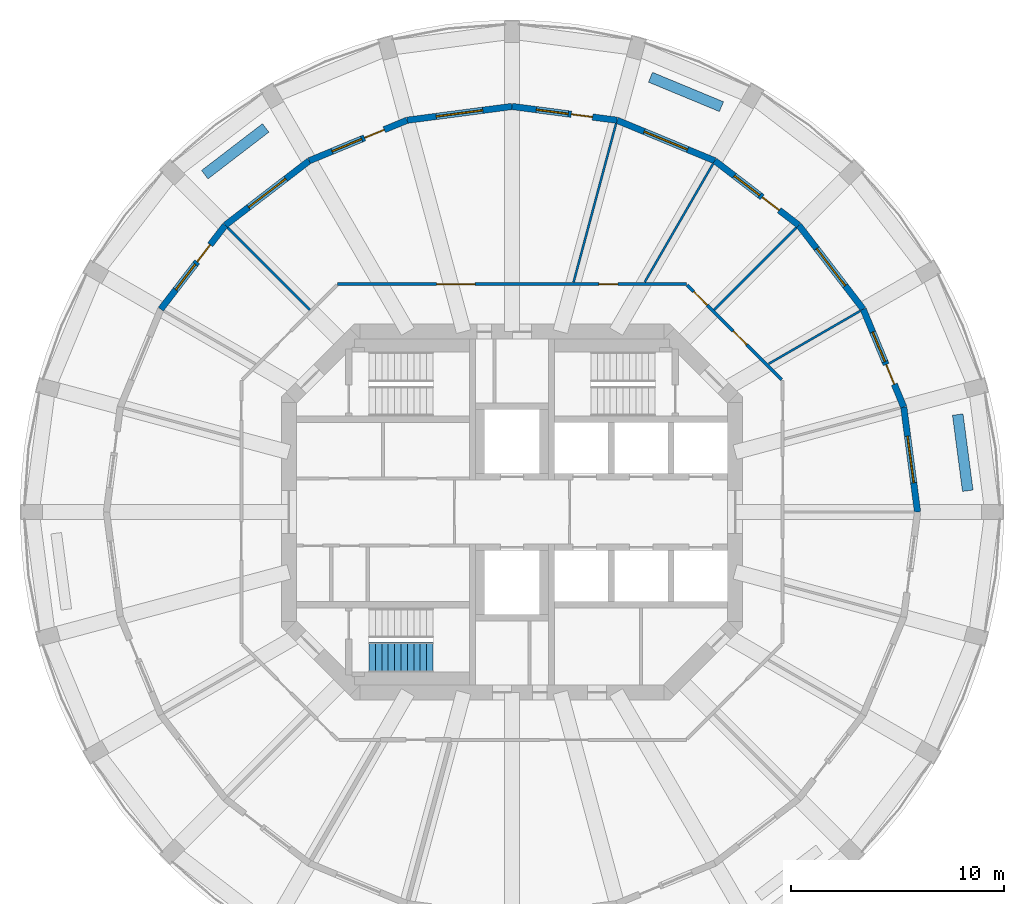
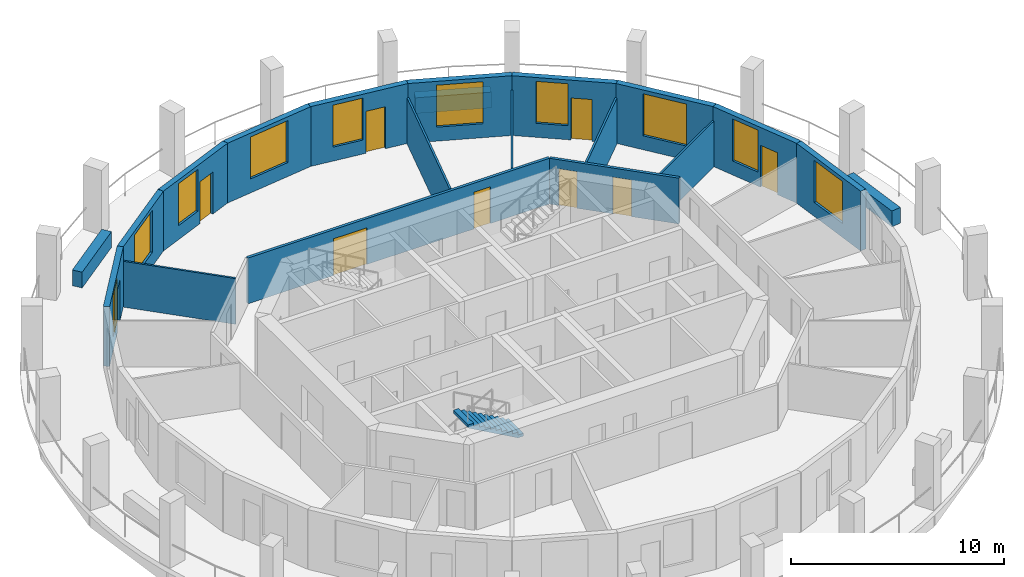
# One storey, part 6 of 9: 20 walls, 10 windows, 9 doors, 1 stair flight, 19 openings, 1 element without a shape of its own.
"""IFC4 building model written with IfcOpenShell, lengths in metres."""

import ifcopenshell
import ifcopenshell.guid

model = None  # the IFC model being written
_history = None  # IfcOwnerHistory: only IFC2X3 demands one
_inside = {}  # id of a spatial element -> (the spatial element, [elements in it])
_under = {}  # id of a project, library or spatial element -> (it, [spatial elements below it])
_declared = {}  # id of a project -> (the project, [libraries it declares])
_typed = {}  # id of a type object -> (the type object, [elements of that type])
_made_of = {}  # id of a material, layer set ... -> (it, [elements and type objects made of it])


def new_model(schema):
    """Start an empty IFC model of exactly this schema.

    Asked for "IFC4X3", IfcOpenShell would pick the latest addendum, in which some entities
    have other attributes; the version numbers below select the first issue.
    IFC2X3 requires an IfcOwnerHistory on every rooted entity: one is made here for all.
    """
    global model, _history
    if schema == "IFC4X3":
        model = ifcopenshell.file(schema_version=(4, 3, 0, 0))
    else:
        model = ifcopenshell.file(schema=schema)
    _inside.clear()
    _under.clear()
    _declared.clear()
    _typed.clear()
    _made_of.clear()
    _history = None
    if model.schema == "IFC2X3":
        org = make("IfcOrganization", Name="unknown")
        user = make(
            "IfcPersonAndOrganization",
            ThePerson=make("IfcPerson", FamilyName="unknown"),
            TheOrganization=org,
        )
        app = make(
            "IfcApplication",
            ApplicationDeveloper=org,
            Version="unknown",
            ApplicationFullName="unknown",
            ApplicationIdentifier="unknown",
        )
        _history = make(
            "IfcOwnerHistory",
            OwningUser=user,
            OwningApplication=app,
            ChangeAction="ADDED",
            CreationDate=0,
        )
    return model


def make(cls, **values):
    """One entity of the class cls with the attributes given. An attribute that is None is left unset."""
    return model.create_entity(
        cls, **{name: value for name, value in values.items() if value is not None}
    )


def rooted(cls, **values):
    """An entity with a GlobalId (a new one), such as an element, a storey or a relation."""
    return make(cls, GlobalId=ifcopenshell.guid.new(), OwnerHistory=_history, **values)


def si_unit(unit_type, name, prefix=None):
    """IfcSIUnit, for example si_unit("LENGTHUNIT", "METRE", prefix="MILLI")."""
    return make("IfcSIUnit", UnitType=unit_type, Prefix=prefix, Name=name)


def assignment(units):
    """IfcUnitAssignment: the units of a project."""
    return None if units is None else make("IfcUnitAssignment", Units=units)


def point(xyz):
    """IfcCartesianPoint."""
    return None if xyz is None else make("IfcCartesianPoint", Coordinates=xyz)


def direction(xyz):
    """IfcDirection."""
    return None if xyz is None else make("IfcDirection", DirectionRatios=xyz)


def frame(location, z_axis=None, x_axis=None):
    """IfcAxis2Placement3D, a coordinate frame: its origin and axes. An axis left out is left unset."""
    return make(
        "IfcAxis2Placement3D",
        Location=point(location),
        Axis=direction(z_axis),
        RefDirection=direction(x_axis),
    )


def frame_2d(location, x_axis=None):
    """IfcAxis2Placement2D, a coordinate frame in the plane: its origin and x axis."""
    return make(
        "IfcAxis2Placement2D", Location=point(location), RefDirection=direction(x_axis)
    )


def origin():
    """The frame at (0, 0, 0) with its axes left unset."""
    return frame((0.0, 0.0, 0.0))


def place(relative_to, where):
    """IfcLocalPlacement: puts the frame where relative to a parent placement (None: the world)."""
    return make(
        "IfcLocalPlacement", PlacementRelTo=relative_to, RelativePlacement=where
    )


def context(
    kind, dimensions, precision=None, world=None, true_north=None, identifier=None
):
    """IfcGeometricRepresentationContext, for example the 3D "Model" context."""
    return make(
        "IfcGeometricRepresentationContext",
        ContextIdentifier=identifier,
        ContextType=kind,
        CoordinateSpaceDimension=dimensions,
        Precision=precision,
        WorldCoordinateSystem=world,
        TrueNorth=true_north,
    )


def subcontext(parent, identifier, kind, view, scale=None):
    """IfcGeometricRepresentationSubContext, for example "Body" below "Model"."""
    return make(
        "IfcGeometricRepresentationSubContext",
        ContextIdentifier=identifier,
        ContextType=kind,
        ParentContext=parent,
        TargetScale=scale,
        TargetView=view,
    )


def project(units=None, contexts=None):
    """IfcProject with its units and contexts."""
    return rooted(
        "IfcProject",
        Name="project",
        RepresentationContexts=contexts,
        UnitsInContext=assignment(units),
    )


def spatial(cls, under=None, at=None, **own):
    """A site, building, storey or space (cls), placed at a placement, below another one or the project."""
    s = rooted(cls, ObjectPlacement=at, **own)
    if under is not None:
        _under.setdefault(under.id(), (under, []))[1].append(s)
    return s


def polyline(points):
    """IfcPolyline through the points."""
    return make("IfcPolyline", Points=[point(p) for p in points])


def profile(cls, at=None, kind="AREA", **sizes):
    """A parametric profile (cls). Its sizes go by their IFC names, for example OverallWidth=200.0."""
    return make(cls, ProfileType=kind, Position=at, **sizes)


def rectangle(**sizes):
    """IfcRectangleProfileDef."""
    return profile("IfcRectangleProfileDef", **sizes)


def outline(outer, holes=None, kind="AREA"):
    """IfcArbitraryClosedProfileDef: a profile drawn as a closed curve; with holes, ...WithVoids."""
    if holes is None:
        return make("IfcArbitraryClosedProfileDef", ProfileType=kind, OuterCurve=outer)
    return make(
        "IfcArbitraryProfileDefWithVoids",
        ProfileType=kind,
        OuterCurve=outer,
        InnerCurves=holes,
    )


def extrude(swept, where, along, depth):
    """IfcExtrudedAreaSolid: the profile swept, set in the frame where, extruded along a direction by depth."""
    return make(
        "IfcExtrudedAreaSolid",
        SweptArea=swept,
        Position=where,
        ExtrudedDirection=direction(along),
        Depth=depth,
    )


def shape(context_of_items, identifier, shape_type, items):
    """IfcShapeRepresentation: the items that make up one representation, for example the "Body"."""
    return make(
        "IfcShapeRepresentation",
        ContextOfItems=context_of_items,
        RepresentationIdentifier=identifier,
        RepresentationType=shape_type,
        Items=items,
    )


def material(Name=None, Category=None):
    """IfcMaterial."""
    return make("IfcMaterial", Name=Name, Category=Category)


def layer(
    of_material, thickness, ventilated=None, Name=None, Category=None, Priority=None
):
    """IfcMaterialLayer: one layer of a wall or slab, of a material (None: an air gap)."""
    return make(
        "IfcMaterialLayer",
        Material=of_material,
        LayerThickness=thickness,
        IsVentilated=ventilated,
        Name=Name,
        Category=Category,
        Priority=Priority,
    )


def layer_set(layers, Name=None):
    """IfcMaterialLayerSet."""
    return make("IfcMaterialLayerSet", MaterialLayers=layers, LayerSetName=Name)


def made_of(thing, what):
    """Note that an element or type object is made of a material, layer set ...; save() writes the relation."""
    if what is not None:
        _made_of.setdefault(what.id(), (what, []))[1].append(thing)
    return thing


def type_object(cls, material=None, **own):
    """A type object (cls), such as IfcWallType, which elements share."""
    return made_of(rooted(cls, **own), material)


def element(
    cls,
    number,
    at=None,
    inside=None,
    cuts=None,
    type_object=None,
    material=None,
    context=None,
    identifier="Body",
    shape_type=None,
    held_by="IfcProductDefinitionShape",
    body=None,
    shapes=None,
    **own,
):
    """One element of the class cls, such as IfcWall. Its Tag is "e" and its number.

    at: its placement. inside: the storey or other place that contains it. cuts: it is an
    opening in that element (IfcRelVoidsElement). A single representation is given by context,
    identifier, shape_type and body (its items); several are given by shapes. held_by: the class
    of the entity that holds the representations. save() writes the other relations.
    """
    e = rooted(cls, Tag="e%d" % number, ObjectPlacement=at, **own)
    if body is not None:
        shapes = [shape(context, identifier, shape_type, body)]
    if shapes is not None:
        e.Representation = make(held_by, Representations=shapes)
    if inside is not None:
        _inside.setdefault(inside.id(), (inside, []))[1].append(e)
    if cuts is not None:
        rooted(
            "IfcRelVoidsElement", RelatingBuildingElement=cuts, RelatedOpeningElement=e
        )
    if type_object is not None:
        _typed.setdefault(type_object.id(), (type_object, []))[1].append(e)
    return made_of(e, material)


def fill(opening, filler):
    """IfcRelFillsElement: the door or window that sits in an opening."""
    return rooted(
        "IfcRelFillsElement",
        RelatingOpeningElement=opening,
        RelatedBuildingElement=filler,
    )


def aggregate(whole, parts):
    """IfcRelAggregates: a whole, such as a stair, and the parts it consists of."""
    return rooted("IfcRelAggregates", RelatingObject=whole, RelatedObjects=parts)


def save(model, path):
    """Write the relations noted so far, then the file.

    IfcRelAggregates (storeys below a building ...), IfcRelContainedInSpatialStructure (elements
    in a storey), IfcRelDefinesByType, IfcRelAssociatesMaterial and IfcRelDeclares: one each for
    every whole, place, type object, material and project.
    """
    for whole, parts in _under.values():
        aggregate(whole, parts)
    for where, things in _inside.values():
        rooted(
            "IfcRelContainedInSpatialStructure",
            RelatedElements=things,
            RelatingStructure=where,
        )
    for kind, things in _typed.values():
        rooted("IfcRelDefinesByType", RelatedObjects=things, RelatingType=kind)
    for what, things in _made_of.values():
        rooted("IfcRelAssociatesMaterial", RelatedObjects=things, RelatingMaterial=what)
    for by, libraries in _declared.values():
        rooted("IfcRelDeclares", RelatingContext=by, RelatedDefinitions=libraries)
    model.write(path)


model = new_model("IFC4")

# Units and contexts
model_context = context("Model", 3, precision=1e-05, world=origin(), true_north=direction((0.0, 1.0)))
body_context = subcontext(model_context, "Body", "Model", "MODEL_VIEW")
ifc_project = project(units=[si_unit("LENGTHUNIT", "METRE"), si_unit("AREAUNIT", "SQUARE_METRE"), si_unit("VOLUMEUNIT", "CUBIC_METRE"), si_unit("PLANEANGLEUNIT", "RADIAN"), si_unit("MASSUNIT", "GRAM", prefix="KILO")], contexts=[model_context])

# Site, building, storey
site_placement = place(None, origin())
site = spatial("IfcSite", under=ifc_project, at=site_placement, CompositionType="ELEMENT")
building_placement = place(site_placement, origin())
building = spatial("IfcBuilding", under=site, at=building_placement, Name="Torre Triforio", CompositionType="ELEMENT")
storey_placement = place(building_placement, frame((0.0, 0.0, 154.199951171875)))
storey = spatial("IfcBuildingStorey", under=building, at=storey_placement, Name="L34", CompositionType="ELEMENT", Elevation=154.199951171875)

# Wall, openings, doors
ifc_material_1 = material(Name="Plasterboard on metal studs")
ifc_layer_1 = layer(ifc_material_1, 0.14990234375)
ifc_layer_set_1 = layer_set([ifc_layer_1], Name="Plasterboard on metal studs")
wall_type_1 = type_object("IfcWallType", Name="Corridor and tenancy wall 150 mm EI 60", PredefinedType="PARTITIONING", material=ifc_layer_set_1)
wall_1_placement = place(storey_placement, frame((-8.16650390625, 10.675048828125, 0.0), z_axis=(0.0, 0.0, 1.0), x_axis=(1.0, 0.0, 0.0)))
wall_1 = element("IfcWall", 1, at=wall_1_placement, inside=storey, type_object=wall_type_1, Name="Partition 8", PredefinedType="PARTITIONING", context=body_context, shape_type="SweptSolid", body=[
    extrude(rectangle(XDim=16.3330078125, YDim=0.14990234375, at=frame_2d((8.16650390625, 0.0))), origin(), (0.0, 0.0, 1.0), 2.6201171875),
])
opening_1_placement = place(wall_1_placement, frame((12.232421875, 0.0, 0.0)))
opening_1 = element("IfcOpeningElement", 2, at=opening_1_placement, cuts=wall_1, Name="Opening O1-05", PredefinedType="OPENING", context=body_context, shape_type="SweptSolid", body=[
    extrude(rectangle(XDim=0.89990234375, YDim=2.10009765625, at=frame_2d((0.449951171875, 1.050048828125))), frame((0.0, 0.0849609375, 0.0), z_axis=(0.0, -1.0, 0.0), x_axis=(1.0, 0.0, 0.0)), (0.0, 0.0, 1.0), 0.169921875),
])
opening_2_placement = place(wall_1_placement, frame((4.639404296875, 0.0, 0.0)))
opening_2 = element("IfcOpeningElement", 3, at=opening_2_placement, cuts=wall_1, Name="Opening O1-06", PredefinedType="OPENING", context=body_context, shape_type="SweptSolid", body=[
    extrude(rectangle(XDim=1.800048828125, YDim=2.10009765625, at=frame_2d((0.89990234375, 1.050048828125))), frame((0.0, 0.0849609375, 0.0), z_axis=(0.0, -1.0, 0.0), x_axis=(1.0, 0.0, 0.0)), (0.0, 0.0, 1.0), 0.169921875),
])
ifc_material_2 = material(Name="Timber", Category="wood")
door_type_1 = type_object("IfcDoorType", Name="Door 1800 x 2100 double leaf EI 30", OperationType="DOUBLE_DOOR_SINGLE_SWING", PredefinedType="DOOR", material=ifc_material_2)
door_1_placement = place(opening_2_placement, origin())
door_1 = element("IfcDoor", 4, at=door_1_placement, inside=storey, type_object=door_type_1, Name="Door O1-06", OperationType="DOUBLE_DOOR_SINGLE_SWING", OverallHeight=2.10009765625, OverallWidth=1.800048828125, PredefinedType="DOOR", context=body_context, shape_type="SweptSolid", body=[
    extrude(rectangle(XDim=1.800048828125, YDim=2.10009765625, at=frame_2d((0.89990234375, 1.050048828125))), frame((0.0, 0.02490234375, 0.0), z_axis=(0.0, -1.0, 0.0), x_axis=(1.0, 0.0, 0.0)), (0.0, 0.0, 1.0), 0.050048828125),
])
fill(opening_2, door_1)
door_type_2 = type_object("IfcDoorType", Name="Door 900 x 2100 single leaf EI 30", OperationType="NOTDEFINED", PredefinedType="DOOR", material=ifc_material_2)
door_2_placement = place(opening_1_placement, origin())
door_2 = element("IfcDoor", 5, at=door_2_placement, inside=storey, type_object=door_type_2, Name="Door O1-05", OperationType="SINGLE_SWING_LEFT", OverallHeight=2.10009765625, OverallWidth=0.89990234375, PredefinedType="DOOR", context=body_context, shape_type="SweptSolid", body=[
    extrude(rectangle(XDim=0.89990234375, YDim=2.10009765625, at=frame_2d((0.449951171875, 1.050048828125))), frame((0.0, 0.02490234375, 0.0), z_axis=(0.0, -1.0, 0.0), x_axis=(1.0, 0.0, 0.0)), (0.0, 0.0, 1.0), 0.050048828125),
])
fill(opening_1, door_2)

wall_2_placement = place(storey_placement, frame((8.20361328125, 10.637939453125, 0.0), z_axis=(0.0, 0.0, 1.0), x_axis=(0.707106781187, -0.707106781187, 0.0)))
wall_2 = element("IfcWall", 6, at=wall_2_placement, inside=storey, type_object=wall_type_1, Name="Partition 9", PredefinedType="PARTITIONING", context=body_context, shape_type="SweptSolid", body=[
    extrude(rectangle(XDim=6.27099609375, YDim=0.14990234375, at=frame_2d((3.135498046875, 0.0))), origin(), (0.0, 0.0, 1.0), 2.6201171875),
])
opening_3_placement = place(wall_2_placement, frame((3.056884765625, 0.0, 0.0)))
opening_3 = element("IfcOpeningElement", 7, at=opening_3_placement, cuts=wall_2, Name="Opening O1-03", PredefinedType="OPENING", context=body_context, shape_type="SweptSolid", body=[
    extrude(rectangle(XDim=0.89990234375, YDim=2.10009765625, at=frame_2d((0.449951171875, 1.050048828125))), frame((0.0, 0.0849609375, 0.0), z_axis=(0.0, -1.0, 0.0), x_axis=(1.0, 0.0, 0.0)), (0.0, 0.0, 1.0), 0.169921875),
])
opening_4_placement = place(wall_2_placement, frame((0.435546875, 0.0, 0.0)))
opening_4 = element("IfcOpeningElement", 8, at=opening_4_placement, cuts=wall_2, Name="Opening O1-04", PredefinedType="OPENING", context=body_context, shape_type="SweptSolid", body=[
    extrude(rectangle(XDim=0.89990234375, YDim=2.10009765625, at=frame_2d((0.449951171875, 1.050048828125))), frame((0.0, 0.0849609375, 0.0), z_axis=(0.0, -1.0, 0.0), x_axis=(1.0, 0.0, 0.0)), (0.0, 0.0, 1.0), 0.169921875),
])
door_3_placement = place(opening_3_placement, origin())
door_3 = element("IfcDoor", 9, at=door_3_placement, inside=storey, type_object=door_type_2, Name="Door O1-03", OperationType="SINGLE_SWING_LEFT", OverallHeight=2.10009765625, OverallWidth=0.89990234375, PredefinedType="DOOR", context=body_context, shape_type="SweptSolid", body=[
    extrude(rectangle(XDim=0.89990234375, YDim=2.10009765625, at=frame_2d((0.449951171875, 1.050048828125))), frame((0.0, 0.02490234375, 0.0), z_axis=(0.0, -1.0, 0.0), x_axis=(1.0, 0.0, 0.0)), (0.0, 0.0, 1.0), 0.050048828125),
])
fill(opening_3, door_3)
door_4_placement = place(opening_4_placement, origin())
door_4 = element("IfcDoor", 10, at=door_4_placement, inside=storey, type_object=door_type_2, Name="Door O1-04", OperationType="SINGLE_SWING_LEFT", OverallHeight=2.10009765625, OverallWidth=0.89990234375, PredefinedType="DOOR", context=body_context, shape_type="SweptSolid", body=[
    extrude(rectangle(XDim=0.89990234375, YDim=2.10009765625, at=frame_2d((0.449951171875, 1.050048828125))), frame((0.0, 0.02490234375, 0.0), z_axis=(0.0, -1.0, 0.0), x_axis=(1.0, 0.0, 0.0)), (0.0, 0.0, 1.0), 0.050048828125),
])
fill(opening_4, door_4)

# Walls
ifc_layer_2 = layer(ifc_material_1, 0.10009765625)
ifc_layer_set_2 = layer_set([ifc_layer_2], Name="Plasterboard on metal studs")
wall_type_2 = type_object("IfcWallType", Name="Partition 100 mm board on metal studs", PredefinedType="PARTITIONING", material=ifc_layer_set_2)
wall_3_placement = place(storey_placement, frame((12.025146484375, 6.94287109375, 0.0), z_axis=(0.0, 0.0, 1.0), x_axis=(0.866025463095, 0.499999897272, 0.0)))
element("IfcWall", 11, at=wall_3_placement, inside=storey, type_object=wall_type_2, Name="Partition 13", PredefinedType="PARTITIONING", context=body_context, shape_type="SweptSolid", body=[
    extrude(rectangle(XDim=4.951171875, YDim=0.10009765625, at=frame_2d((2.4755859375, 0.0))), origin(), (0.0, 0.0, 1.0), 2.6201171875),
])
wall_4_placement = place(storey_placement, frame((9.473876953125, 9.473876953125, 0.0), z_axis=(0.0, 0.0, 1.0), x_axis=(0.707106781187, 0.707106781187, 0.0)))
element("IfcWall", 12, at=wall_4_placement, inside=storey, type_object=wall_type_2, Name="Partition 14", PredefinedType="PARTITIONING", context=body_context, shape_type="SweptSolid", body=[
    extrude(rectangle(XDim=5.438720703125, YDim=0.10009765625, at=frame_2d((2.71923828125, 0.0))), origin(), (0.0, 0.0, 1.0), 2.6201171875),
])
wall_5_placement = place(storey_placement, frame((6.220703125, 10.774658203125, 0.0), z_axis=(0.0, 0.0, 1.0), x_axis=(0.500023166934, 0.866012027936, 0.0)))
element("IfcWall", 13, at=wall_5_placement, inside=storey, type_object=wall_type_2, Name="Partition 15", PredefinedType="PARTITIONING", context=body_context, shape_type="SweptSolid", body=[
    extrude(rectangle(XDim=6.395263671875, YDim=0.10009765625, at=frame_2d((3.19775390625, 0.0))), origin(), (0.0, 0.0, 1.0), 2.6201171875),
])
wall_6_placement = place(storey_placement, frame((2.88427734375, 10.764404296875, 0.0), z_axis=(0.0, 0.0, 1.0), x_axis=(0.25881804804, 0.965926093451, 0.0)))
element("IfcWall", 14, at=wall_6_placement, inside=storey, type_object=wall_type_2, Name="Partition 16", PredefinedType="PARTITIONING", context=body_context, shape_type="SweptSolid", body=[
    extrude(rectangle(XDim=7.692626953125, YDim=0.10009765625, at=frame_2d((3.84619140625, 0.0))), origin(), (0.0, 0.0, 1.0), 2.6201171875),
])
wall_7_placement = place(storey_placement, frame((-9.473876953125, 9.473876953125, 0.0), z_axis=(0.0, 0.0, 1.0), x_axis=(-0.707106781187, 0.707106781187, 0.0)))
element("IfcWall", 15, at=wall_7_placement, inside=storey, type_object=wall_type_2, Name="Partition 17", PredefinedType="PARTITIONING", context=body_context, shape_type="SweptSolid", body=[
    extrude(rectangle(XDim=5.438720703125, YDim=0.10009765625, at=frame_2d((2.71923828125, 0.0))), origin(), (0.0, 0.0, 1.0), 2.6201171875),
])
ifc_material_3 = material(Name="Limestone cladding", Category="masonry")
ifc_layer_3 = layer(ifc_material_3, 0.10009765625)
ifc_material_4 = material(Name="Concrete C40", Category="concrete")
ifc_layer_4 = layer(ifc_material_4, 0.39990234375)
ifc_layer_set_3 = layer_set([ifc_layer_3, ifc_layer_4], Name="Limestone cladding / Concrete C40")
wall_type_3 = type_object("IfcWallType", Name="Planter wall 500", PredefinedType="PARAPET", material=ifc_layer_set_3)
for number, where, z_axis, x_axis, name in (
    (16, (21.352783203125, 0.99560546875, 0.0), (0.0, 0.0, 1.0), (-0.130551000099, 0.991441595039, 0.0), "Planter L34 bay 01"),
    (17, (9.814208984375, 18.98974609375, 0.0), (0.0, 0.0, 1.0), (-0.923875488976, 0.382693194178, 0.0), "Planter L34 bay 05"),
):
    element("IfcWall", number, at=place(storey_placement, frame(where, z_axis=z_axis, x_axis=x_axis)), inside=storey, type_object=wall_type_3, Name=name, PredefinedType="PARAPET", context=body_context, shape_type="SweptSolid", body=[
        extrude(rectangle(XDim=3.599853515625, YDim=0.5, at=frame_2d((1.7998046875, 0.0))), origin(), (0.0, 0.0, 1.0), 0.900146484375),
    ])
wall_8_placement = place(storey_placement, frame((-11.53857421875, 17.994140625, 0.0), z_axis=(0.0, 0.0, 1.0), x_axis=(-0.793384730612, -0.608720518162, 0.0)))
element("IfcWall", 18, at=wall_8_placement, inside=storey, type_object=wall_type_3, Name="Planter L34 bay 09", PredefinedType="PARAPET", context=body_context, shape_type="SweptSolid", body=[
    extrude(rectangle(XDim=3.60009765625, YDim=0.5, at=frame_2d((1.800048828125, 0.0))), origin(), (0.0, 0.0, 1.0), 0.900146484375),
])

# Wall, opening, window
ifc_layer_5 = layer(ifc_material_3, 0.10009765625)
ifc_layer_6 = layer(ifc_material_4, 0.199951171875)
ifc_layer_set_4 = layer_set([ifc_layer_5, ifc_layer_6], Name="Limestone cladding / Concrete C40")
wall_type_4 = type_object("IfcWallType", Name="Stone-faced composite wall 300", PredefinedType="STANDARD", material=ifc_layer_set_4)
wall_9_placement = place(storey_placement, frame((19.0, 0.0, 0.0), z_axis=(0.0, 0.0, 1.0), x_axis=(-0.130538549191, 0.991443234469, 0.0)))
wall_9 = element("IfcWall", 19, at=wall_9_placement, inside=storey, type_object=wall_type_4, Name="External wall L34 bay 01", PredefinedType="STANDARD", context=body_context, shape_type="SweptSolid", body=[
    extrude(rectangle(XDim=4.9599609375, YDim=0.300048828125, at=frame_2d((2.47998046875, 0.0))), origin(), (0.0, 0.0, 1.0), 3.420166015625),
])
opening_5_placement = place(wall_9_placement, frame((1.3798828125, 0.0, 0.800048828125)))
opening_5 = element("IfcOpeningElement", 20, at=opening_5_placement, cuts=wall_9, Name="Opening O1-W01", PredefinedType="OPENING", context=body_context, shape_type="SweptSolid", body=[
    extrude(rectangle(XDim=2.199951171875, YDim=2.39990234375, at=frame_2d((1.10009765625, 1.199951171875))), frame((0.0, 0.159912109375, 0.0), z_axis=(0.0, -1.0, 0.0), x_axis=(1.0, 0.0, 0.0)), (0.0, 0.0, 1.0), 0.320068359375),
])
ifc_material_5 = material(Name="Aluminium frame with clear double glazing", Category="aluminium")
window_type_1 = type_object("IfcWindowType", Name="Punched window 2200 x 2400", PartitioningType="DOUBLE_PANEL_VERTICAL", PredefinedType="WINDOW", material=ifc_material_5)
window_1_placement = place(opening_5_placement, origin())
window_1 = element("IfcWindow", 21, at=window_1_placement, inside=storey, type_object=window_type_1, Name="Window EWN5 L34 bay 01", OverallHeight=2.39990234375, OverallWidth=2.199951171875, PartitioningType="SINGLE_PANEL", PredefinedType="WINDOW", context=body_context, shape_type="SweptSolid", body=[
    extrude(rectangle(XDim=2.199951171875, YDim=2.39990234375, at=frame_2d((1.10009765625, 1.199951171875))), frame((0.0, 0.030029296875, 0.0), z_axis=(0.0, -1.0, 0.0), x_axis=(1.0, 0.0, 0.0)), (0.0, 0.0, 1.0), 0.06005859375),
])
fill(opening_5, window_1)

# Wall, openings, door, window
wall_10_placement = place(storey_placement, frame((18.3525390625, 4.91748046875, 0.0), z_axis=(0.0, 0.0, 1.0), x_axis=(-0.382650301762, 0.923893254961, 0.0)))
wall_10 = element("IfcWall", 22, at=wall_10_placement, inside=storey, type_object=wall_type_4, Name="External wall L34 bay 02", PredefinedType="STANDARD", context=body_context, shape_type="SweptSolid", body=[
    extrude(rectangle(XDim=4.9599609375, YDim=0.300048828125, at=frame_2d((2.47998046875, 0.0))), origin(), (0.0, 0.0, 1.0), 3.420166015625),
])
opening_6_placement = place(wall_10_placement, frame((1.155029296875, 0.0, 0.0)))
opening_6 = element("IfcOpeningElement", 23, at=opening_6_placement, cuts=wall_10, Name="Opening O1-D02", PredefinedType="OPENING", context=body_context, shape_type="SweptSolid", body=[
    extrude(rectangle(XDim=1.0, YDim=2.39990234375, at=frame_2d((0.5, 1.199951171875))), frame((0.0, 0.159912109375, 0.0), z_axis=(0.0, -1.0, 0.0), x_axis=(1.0, 0.0, 0.0)), (0.0, 0.0, 1.0), 0.320068359375),
])
opening_7_placement = place(wall_10_placement, frame((2.304931640625, 0.0, 0.800048828125)))
opening_7 = element("IfcOpeningElement", 24, at=opening_7_placement, cuts=wall_10, Name="Opening O1-W02A", PredefinedType="OPENING", context=body_context, shape_type="SweptSolid", body=[
    extrude(rectangle(XDim=1.5, YDim=2.39990234375, at=frame_2d((0.75, 1.199951171875))), frame((0.0, 0.159912109375, 0.0), z_axis=(0.0, -1.0, 0.0), x_axis=(1.0, 0.0, 0.0)), (0.0, 0.0, 1.0), 0.320068359375),
])
door_type_3 = type_object("IfcDoorType", Name="Loggia door 1000 x 2400", OperationType="NOTDEFINED", PredefinedType="DOOR", material=ifc_material_5)
door_5_placement = place(opening_6_placement, origin())
door_5 = element("IfcDoor", 25, at=door_5_placement, inside=storey, type_object=door_type_3, Name="Loggia door L34 bay 02", OperationType="SINGLE_SWING_LEFT", OverallHeight=2.39990234375, OverallWidth=1.0, PredefinedType="DOOR", context=body_context, shape_type="SweptSolid", body=[
    extrude(rectangle(XDim=1.0, YDim=2.39990234375, at=frame_2d((0.5, 1.199951171875))), frame((0.0, 0.02490234375, 0.0), z_axis=(0.0, -1.0, 0.0), x_axis=(1.0, 0.0, 0.0)), (0.0, 0.0, 1.0), 0.050048828125),
])
fill(opening_6, door_5)
window_type_2 = type_object("IfcWindowType", Name="Side window 1500 x 2400", PartitioningType="SINGLE_PANEL", PredefinedType="WINDOW", material=ifc_material_5)
window_2_placement = place(opening_7_placement, origin())
window_2 = element("IfcWindow", 26, at=window_2_placement, inside=storey, type_object=window_type_2, Name="Side window EWN14 L34 bay 02", OverallHeight=2.39990234375, OverallWidth=1.5, PartitioningType="SINGLE_PANEL", PredefinedType="WINDOW", context=body_context, shape_type="SweptSolid", body=[
    extrude(rectangle(XDim=1.5, YDim=2.39990234375, at=frame_2d((0.75, 1.199951171875))), frame((0.0, 0.030029296875, 0.0), z_axis=(0.0, -1.0, 0.0), x_axis=(1.0, 0.0, 0.0)), (0.0, 0.0, 1.0), 0.06005859375),
])
fill(opening_7, window_2)

# Wall, opening, window
wall_11_placement = place(storey_placement, frame((16.45458984375, 9.5, 0.0), z_axis=(0.0, 0.0, 1.0), x_axis=(-0.608768356425, 0.793348024649, 0.0)))
wall_11 = element("IfcWall", 27, at=wall_11_placement, inside=storey, type_object=wall_type_4, Name="External wall L34 bay 03", PredefinedType="STANDARD", context=body_context, shape_type="SweptSolid", body=[
    extrude(rectangle(XDim=4.9599609375, YDim=0.300048828125, at=frame_2d((2.47998046875, 0.0))), origin(), (0.0, 0.0, 1.0), 3.420166015625),
])
opening_8_placement = place(wall_11_placement, frame((1.3798828125, 0.0, 0.800048828125)))
opening_8 = element("IfcOpeningElement", 28, at=opening_8_placement, cuts=wall_11, Name="Opening O1-W03", PredefinedType="OPENING", context=body_context, shape_type="SweptSolid", body=[
    extrude(rectangle(XDim=2.199951171875, YDim=2.39990234375, at=frame_2d((1.10009765625, 1.199951171875))), frame((0.0, 0.159912109375, 0.0), z_axis=(0.0, -1.0, 0.0), x_axis=(1.0, 0.0, 0.0)), (0.0, 0.0, 1.0), 0.320068359375),
])
window_3_placement = place(opening_8_placement, origin())
window_3 = element("IfcWindow", 29, at=window_3_placement, inside=storey, type_object=window_type_1, Name="Window EWN5 L34 bay 03", OverallHeight=2.39990234375, OverallWidth=2.199951171875, PartitioningType="SINGLE_PANEL", PredefinedType="WINDOW", context=body_context, shape_type="SweptSolid", body=[
    extrude(rectangle(XDim=2.199951171875, YDim=2.39990234375, at=frame_2d((1.10009765625, 1.199951171875))), frame((0.0, 0.030029296875, 0.0), z_axis=(0.0, -1.0, 0.0), x_axis=(1.0, 0.0, 0.0)), (0.0, 0.0, 1.0), 0.06005859375),
])
fill(opening_8, window_3)

# Wall, openings, door, window
wall_12_placement = place(storey_placement, frame((13.43505859375, 13.43505859375, 0.0), z_axis=(0.0, 0.0, 1.0), x_axis=(-0.793348024649, 0.608768356425, 0.0)))
wall_12 = element("IfcWall", 30, at=wall_12_placement, inside=storey, type_object=wall_type_4, Name="External wall L34 bay 04", PredefinedType="STANDARD", context=body_context, shape_type="SweptSolid", body=[
    extrude(rectangle(XDim=4.9599609375, YDim=0.300048828125, at=frame_2d((2.47998046875, 0.0))), origin(), (0.0, 0.0, 1.0), 3.420166015625),
])
opening_9_placement = place(wall_12_placement, frame((1.155029296875, 0.0, 0.0)))
opening_9 = element("IfcOpeningElement", 31, at=opening_9_placement, cuts=wall_12, Name="Opening O1-D04", PredefinedType="OPENING", context=body_context, shape_type="SweptSolid", body=[
    extrude(rectangle(XDim=1.0, YDim=2.39990234375, at=frame_2d((0.5, 1.199951171875))), frame((0.0, 0.159912109375, 0.0), z_axis=(0.0, -1.0, 0.0), x_axis=(1.0, 0.0, 0.0)), (0.0, 0.0, 1.0), 0.320068359375),
])
opening_10_placement = place(wall_12_placement, frame((2.304931640625, 0.0, 0.800048828125)))
opening_10 = element("IfcOpeningElement", 32, at=opening_10_placement, cuts=wall_12, Name="Opening O1-W04A", PredefinedType="OPENING", context=body_context, shape_type="SweptSolid", body=[
    extrude(rectangle(XDim=1.5, YDim=2.39990234375, at=frame_2d((0.75, 1.199951171875))), frame((0.0, 0.159912109375, 0.0), z_axis=(0.0, -1.0, 0.0), x_axis=(1.0, 0.0, 0.0)), (0.0, 0.0, 1.0), 0.320068359375),
])
door_6_placement = place(opening_9_placement, origin())
door_6 = element("IfcDoor", 33, at=door_6_placement, inside=storey, type_object=door_type_3, Name="Loggia door L34 bay 04", OperationType="SINGLE_SWING_LEFT", OverallHeight=2.39990234375, OverallWidth=1.0, PredefinedType="DOOR", context=body_context, shape_type="SweptSolid", body=[
    extrude(rectangle(XDim=1.0, YDim=2.39990234375, at=frame_2d((0.5, 1.199951171875))), frame((0.0, 0.02490234375, 0.0), z_axis=(0.0, -1.0, 0.0), x_axis=(1.0, 0.0, 0.0)), (0.0, 0.0, 1.0), 0.050048828125),
])
fill(opening_9, door_6)
window_4_placement = place(opening_10_placement, origin())
window_4 = element("IfcWindow", 34, at=window_4_placement, inside=storey, type_object=window_type_2, Name="Side window EWN14 L34 bay 04", OverallHeight=2.39990234375, OverallWidth=1.5, PartitioningType="SINGLE_PANEL", PredefinedType="WINDOW", context=body_context, shape_type="SweptSolid", body=[
    extrude(rectangle(XDim=1.5, YDim=2.39990234375, at=frame_2d((0.75, 1.199951171875))), frame((0.0, 0.030029296875, 0.0), z_axis=(0.0, -1.0, 0.0), x_axis=(1.0, 0.0, 0.0)), (0.0, 0.0, 1.0), 0.06005859375),
])
fill(opening_10, window_4)

# Wall, opening, window
wall_13_placement = place(storey_placement, frame((9.5, 16.45458984375, 0.0), z_axis=(0.0, 0.0, 1.0), x_axis=(-0.923893254961, 0.382650301762, 0.0)))
wall_13 = element("IfcWall", 35, at=wall_13_placement, inside=storey, type_object=wall_type_4, Name="External wall L34 bay 05", PredefinedType="STANDARD", context=body_context, shape_type="SweptSolid", body=[
    extrude(rectangle(XDim=4.9599609375, YDim=0.300048828125, at=frame_2d((2.47998046875, 0.0))), origin(), (0.0, 0.0, 1.0), 3.420166015625),
])
opening_11_placement = place(wall_13_placement, frame((1.3798828125, 0.0, 0.800048828125)))
opening_11 = element("IfcOpeningElement", 36, at=opening_11_placement, cuts=wall_13, Name="Opening O1-W05", PredefinedType="OPENING", context=body_context, shape_type="SweptSolid", body=[
    extrude(rectangle(XDim=2.199951171875, YDim=2.39990234375, at=frame_2d((1.10009765625, 1.199951171875))), frame((0.0, 0.159912109375, 0.0), z_axis=(0.0, -1.0, 0.0), x_axis=(1.0, 0.0, 0.0)), (0.0, 0.0, 1.0), 0.320068359375),
])
window_5_placement = place(opening_11_placement, origin())
window_5 = element("IfcWindow", 37, at=window_5_placement, inside=storey, type_object=window_type_1, Name="Window EWN5 L34 bay 05", OverallHeight=2.39990234375, OverallWidth=2.199951171875, PartitioningType="SINGLE_PANEL", PredefinedType="WINDOW", context=body_context, shape_type="SweptSolid", body=[
    extrude(rectangle(XDim=2.199951171875, YDim=2.39990234375, at=frame_2d((1.10009765625, 1.199951171875))), frame((0.0, 0.030029296875, 0.0), z_axis=(0.0, -1.0, 0.0), x_axis=(1.0, 0.0, 0.0)), (0.0, 0.0, 1.0), 0.06005859375),
])
fill(opening_11, window_5)

# Wall, openings, door, window
wall_14_placement = place(storey_placement, frame((4.91748046875, 18.3525390625, 0.0), z_axis=(0.0, 0.0, 1.0), x_axis=(-0.991443234469, 0.130538549191, 0.0)))
wall_14 = element("IfcWall", 38, at=wall_14_placement, inside=storey, type_object=wall_type_4, Name="External wall L34 bay 06", PredefinedType="STANDARD", context=body_context, shape_type="SweptSolid", body=[
    extrude(rectangle(XDim=4.9599609375, YDim=0.300048828125, at=frame_2d((2.47998046875, 0.0))), origin(), (0.0, 0.0, 1.0), 3.420166015625),
])
opening_12_placement = place(wall_14_placement, frame((1.155029296875, 0.0, 0.0)))
opening_12 = element("IfcOpeningElement", 39, at=opening_12_placement, cuts=wall_14, Name="Opening O1-D06", PredefinedType="OPENING", context=body_context, shape_type="SweptSolid", body=[
    extrude(rectangle(XDim=1.0, YDim=2.39990234375, at=frame_2d((0.5, 1.199951171875))), frame((0.0, 0.159912109375, 0.0), z_axis=(0.0, -1.0, 0.0), x_axis=(1.0, 0.0, 0.0)), (0.0, 0.0, 1.0), 0.320068359375),
])
opening_13_placement = place(wall_14_placement, frame((2.304931640625, 0.0, 0.800048828125)))
opening_13 = element("IfcOpeningElement", 40, at=opening_13_placement, cuts=wall_14, Name="Opening O1-W06A", PredefinedType="OPENING", context=body_context, shape_type="SweptSolid", body=[
    extrude(rectangle(XDim=1.5, YDim=2.39990234375, at=frame_2d((0.75, 1.199951171875))), frame((0.0, 0.159912109375, 0.0), z_axis=(0.0, -1.0, 0.0), x_axis=(1.0, 0.0, 0.0)), (0.0, 0.0, 1.0), 0.320068359375),
])
door_7_placement = place(opening_12_placement, origin())
door_7 = element("IfcDoor", 41, at=door_7_placement, inside=storey, type_object=door_type_3, Name="Loggia door L34 bay 06", OperationType="SINGLE_SWING_LEFT", OverallHeight=2.39990234375, OverallWidth=1.0, PredefinedType="DOOR", context=body_context, shape_type="SweptSolid", body=[
    extrude(rectangle(XDim=1.0, YDim=2.39990234375, at=frame_2d((0.5, 1.199951171875))), frame((0.0, 0.02490234375, 0.0), z_axis=(0.0, -1.0, 0.0), x_axis=(1.0, 0.0, 0.0)), (0.0, 0.0, 1.0), 0.050048828125),
])
fill(opening_12, door_7)
window_6_placement = place(opening_13_placement, origin())
window_6 = element("IfcWindow", 42, at=window_6_placement, inside=storey, type_object=window_type_2, Name="Side window EWN14 L34 bay 06", OverallHeight=2.39990234375, OverallWidth=1.5, PartitioningType="SINGLE_PANEL", PredefinedType="WINDOW", context=body_context, shape_type="SweptSolid", body=[
    extrude(rectangle(XDim=1.5, YDim=2.39990234375, at=frame_2d((0.75, 1.199951171875))), frame((0.0, 0.030029296875, 0.0), z_axis=(0.0, -1.0, 0.0), x_axis=(1.0, 0.0, 0.0)), (0.0, 0.0, 1.0), 0.06005859375),
])
fill(opening_13, window_6)

# Wall, opening, window
wall_15_placement = place(storey_placement, frame((0.0, 19.0, 0.0), z_axis=(0.0, 0.0, 1.0), x_axis=(-0.991443234469, -0.130538549191, 0.0)))
wall_15 = element("IfcWall", 43, at=wall_15_placement, inside=storey, type_object=wall_type_4, Name="External wall L34 bay 07", PredefinedType="STANDARD", context=body_context, shape_type="SweptSolid", body=[
    extrude(rectangle(XDim=4.9599609375, YDim=0.300048828125, at=frame_2d((2.47998046875, 0.0))), origin(), (0.0, 0.0, 1.0), 3.420166015625),
])
opening_14_placement = place(wall_15_placement, frame((1.3798828125, 0.0, 0.800048828125)))
opening_14 = element("IfcOpeningElement", 44, at=opening_14_placement, cuts=wall_15, Name="Opening O1-W07", PredefinedType="OPENING", context=body_context, shape_type="SweptSolid", body=[
    extrude(rectangle(XDim=2.199951171875, YDim=2.39990234375, at=frame_2d((1.10009765625, 1.199951171875))), frame((0.0, 0.159912109375, 0.0), z_axis=(0.0, -1.0, 0.0), x_axis=(1.0, 0.0, 0.0)), (0.0, 0.0, 1.0), 0.320068359375),
])
window_7_placement = place(opening_14_placement, origin())
window_7 = element("IfcWindow", 45, at=window_7_placement, inside=storey, type_object=window_type_1, Name="Window EWN5 L34 bay 07", OverallHeight=2.39990234375, OverallWidth=2.199951171875, PartitioningType="SINGLE_PANEL", PredefinedType="WINDOW", context=body_context, shape_type="SweptSolid", body=[
    extrude(rectangle(XDim=2.199951171875, YDim=2.39990234375, at=frame_2d((1.10009765625, 1.199951171875))), frame((0.0, 0.030029296875, 0.0), z_axis=(0.0, -1.0, 0.0), x_axis=(1.0, 0.0, 0.0)), (0.0, 0.0, 1.0), 0.06005859375),
])
fill(opening_14, window_7)

# Wall, openings, door, window
wall_16_placement = place(storey_placement, frame((-4.91748046875, 18.3525390625, 0.0), z_axis=(0.0, 0.0, 1.0), x_axis=(-0.923893254961, -0.382650301762, 0.0)))
wall_16 = element("IfcWall", 46, at=wall_16_placement, inside=storey, type_object=wall_type_4, Name="External wall L34 bay 08", PredefinedType="STANDARD", context=body_context, shape_type="SweptSolid", body=[
    extrude(rectangle(XDim=4.9599609375, YDim=0.300048828125, at=frame_2d((2.47998046875, 0.0))), origin(), (0.0, 0.0, 1.0), 3.420166015625),
])
opening_15_placement = place(wall_16_placement, frame((1.155029296875, 0.0, 0.0)))
opening_15 = element("IfcOpeningElement", 47, at=opening_15_placement, cuts=wall_16, Name="Opening O1-D08", PredefinedType="OPENING", context=body_context, shape_type="SweptSolid", body=[
    extrude(rectangle(XDim=1.0, YDim=2.39990234375, at=frame_2d((0.5, 1.199951171875))), frame((0.0, 0.159912109375, 0.0), z_axis=(0.0, -1.0, 0.0), x_axis=(1.0, 0.0, 0.0)), (0.0, 0.0, 1.0), 0.320068359375),
])
opening_16_placement = place(wall_16_placement, frame((2.304931640625, 0.0, 0.800048828125)))
opening_16 = element("IfcOpeningElement", 48, at=opening_16_placement, cuts=wall_16, Name="Opening O1-W08A", PredefinedType="OPENING", context=body_context, shape_type="SweptSolid", body=[
    extrude(rectangle(XDim=1.5, YDim=2.39990234375, at=frame_2d((0.75, 1.199951171875))), frame((0.0, 0.159912109375, 0.0), z_axis=(0.0, -1.0, 0.0), x_axis=(1.0, 0.0, 0.0)), (0.0, 0.0, 1.0), 0.320068359375),
])
door_8_placement = place(opening_15_placement, origin())
door_8 = element("IfcDoor", 49, at=door_8_placement, inside=storey, type_object=door_type_3, Name="Loggia door L34 bay 08", OperationType="SINGLE_SWING_LEFT", OverallHeight=2.39990234375, OverallWidth=1.0, PredefinedType="DOOR", context=body_context, shape_type="SweptSolid", body=[
    extrude(rectangle(XDim=1.0, YDim=2.39990234375, at=frame_2d((0.5, 1.199951171875))), frame((0.0, 0.02490234375, 0.0), z_axis=(0.0, -1.0, 0.0), x_axis=(1.0, 0.0, 0.0)), (0.0, 0.0, 1.0), 0.050048828125),
])
fill(opening_15, door_8)
window_8_placement = place(opening_16_placement, origin())
window_8 = element("IfcWindow", 50, at=window_8_placement, inside=storey, type_object=window_type_2, Name="Side window EWN14 L34 bay 08", OverallHeight=2.39990234375, OverallWidth=1.5, PartitioningType="SINGLE_PANEL", PredefinedType="WINDOW", context=body_context, shape_type="SweptSolid", body=[
    extrude(rectangle(XDim=1.5, YDim=2.39990234375, at=frame_2d((0.75, 1.199951171875))), frame((0.0, 0.030029296875, 0.0), z_axis=(0.0, -1.0, 0.0), x_axis=(1.0, 0.0, 0.0)), (0.0, 0.0, 1.0), 0.06005859375),
])
fill(opening_16, window_8)

# Wall, opening, window
wall_17_placement = place(storey_placement, frame((-9.5, 16.45458984375, 0.0), z_axis=(0.0, 0.0, 1.0), x_axis=(-0.793348024649, -0.608768356425, 0.0)))
wall_17 = element("IfcWall", 51, at=wall_17_placement, inside=storey, type_object=wall_type_4, Name="External wall L34 bay 09", PredefinedType="STANDARD", context=body_context, shape_type="SweptSolid", body=[
    extrude(rectangle(XDim=4.9599609375, YDim=0.300048828125, at=frame_2d((2.47998046875, 0.0))), origin(), (0.0, 0.0, 1.0), 3.420166015625),
])
opening_17_placement = place(wall_17_placement, frame((1.3798828125, 0.0, 0.800048828125)))
opening_17 = element("IfcOpeningElement", 52, at=opening_17_placement, cuts=wall_17, Name="Opening O1-W09", PredefinedType="OPENING", context=body_context, shape_type="SweptSolid", body=[
    extrude(rectangle(XDim=2.199951171875, YDim=2.39990234375, at=frame_2d((1.10009765625, 1.199951171875))), frame((0.0, 0.159912109375, 0.0), z_axis=(0.0, -1.0, 0.0), x_axis=(1.0, 0.0, 0.0)), (0.0, 0.0, 1.0), 0.320068359375),
])
window_9_placement = place(opening_17_placement, origin())
window_9 = element("IfcWindow", 53, at=window_9_placement, inside=storey, type_object=window_type_1, Name="Window EWN5 L34 bay 09", OverallHeight=2.39990234375, OverallWidth=2.199951171875, PartitioningType="SINGLE_PANEL", PredefinedType="WINDOW", context=body_context, shape_type="SweptSolid", body=[
    extrude(rectangle(XDim=2.199951171875, YDim=2.39990234375, at=frame_2d((1.10009765625, 1.199951171875))), frame((0.0, 0.030029296875, 0.0), z_axis=(0.0, -1.0, 0.0), x_axis=(1.0, 0.0, 0.0)), (0.0, 0.0, 1.0), 0.06005859375),
])
fill(opening_17, window_9)

# Wall, openings, door, window
wall_18_placement = place(storey_placement, frame((-13.43505859375, 13.43505859375, 0.0), z_axis=(0.0, 0.0, 1.0), x_axis=(-0.608768356425, -0.793348024649, 0.0)))
wall_18 = element("IfcWall", 54, at=wall_18_placement, inside=storey, type_object=wall_type_4, Name="External wall L34 bay 10", PredefinedType="STANDARD", context=body_context, shape_type="SweptSolid", body=[
    extrude(rectangle(XDim=4.9599609375, YDim=0.300048828125, at=frame_2d((2.47998046875, 0.0))), origin(), (0.0, 0.0, 1.0), 3.420166015625),
])
opening_18_placement = place(wall_18_placement, frame((1.155029296875, 0.0, 0.0)))
opening_18 = element("IfcOpeningElement", 55, at=opening_18_placement, cuts=wall_18, Name="Opening O1-D10", PredefinedType="OPENING", context=body_context, shape_type="SweptSolid", body=[
    extrude(rectangle(XDim=1.0, YDim=2.39990234375, at=frame_2d((0.5, 1.199951171875))), frame((0.0, 0.159912109375, 0.0), z_axis=(0.0, -1.0, 0.0), x_axis=(1.0, 0.0, 0.0)), (0.0, 0.0, 1.0), 0.320068359375),
])
opening_19_placement = place(wall_18_placement, frame((2.304931640625, 0.0, 0.800048828125)))
opening_19 = element("IfcOpeningElement", 56, at=opening_19_placement, cuts=wall_18, Name="Opening O1-W10A", PredefinedType="OPENING", context=body_context, shape_type="SweptSolid", body=[
    extrude(rectangle(XDim=1.5, YDim=2.39990234375, at=frame_2d((0.75, 1.199951171875))), frame((0.0, 0.159912109375, 0.0), z_axis=(0.0, -1.0, 0.0), x_axis=(1.0, 0.0, 0.0)), (0.0, 0.0, 1.0), 0.320068359375),
])
door_9_placement = place(opening_18_placement, origin())
door_9 = element("IfcDoor", 57, at=door_9_placement, inside=storey, type_object=door_type_3, Name="Loggia door L34 bay 10", OperationType="SINGLE_SWING_LEFT", OverallHeight=2.39990234375, OverallWidth=1.0, PredefinedType="DOOR", context=body_context, shape_type="SweptSolid", body=[
    extrude(rectangle(XDim=1.0, YDim=2.39990234375, at=frame_2d((0.5, 1.199951171875))), frame((0.0, 0.02490234375, 0.0), z_axis=(0.0, -1.0, 0.0), x_axis=(1.0, 0.0, 0.0)), (0.0, 0.0, 1.0), 0.050048828125),
])
fill(opening_18, door_9)
window_10_placement = place(opening_19_placement, origin())
window_10 = element("IfcWindow", 58, at=window_10_placement, inside=storey, type_object=window_type_2, Name="Side window EWN14 L34 bay 10", OverallHeight=2.39990234375, OverallWidth=1.5, PartitioningType="SINGLE_PANEL", PredefinedType="WINDOW", context=body_context, shape_type="SweptSolid", body=[
    extrude(rectangle(XDim=1.5, YDim=2.39990234375, at=frame_2d((0.75, 1.199951171875))), frame((0.0, 0.030029296875, 0.0), z_axis=(0.0, -1.0, 0.0), x_axis=(1.0, 0.0, 0.0)), (0.0, 0.0, 1.0), 0.06005859375),
])
fill(opening_19, window_10)

# Stair, stair flight
stair_type = type_object("IfcStairType", Name="STAIR HALF-TURN", PredefinedType="HALF_TURN_STAIR", material=ifc_material_4)
stair_placement = place(storey_placement, origin())
stair = element("IfcStair", 59, at=stair_placement, inside=storey, type_object=stair_type, Name="Exit stair 3", PredefinedType="HALF_TURN_STAIR")
stair_flight_type = type_object("IfcStairFlightType", Name="STAIR FLIGHT 1400", PredefinedType="STRAIGHT", material=ifc_material_4)
stair_flight_placement = place(storey_placement, frame((-3.699951171875, -6.800048828125, 1.85009765625), z_axis=(0.0, 0.0, 1.0), x_axis=(-1.0, 0.0, 0.0)))
stair_flight = element("IfcStairFlight", 60, at=stair_flight_placement, type_object=stair_flight_type, Name="ST3 flight 2", NumberOfRisers=11, NumberOfTreads=10, PredefinedType="STRAIGHT", RiserHeight=0.168181818, TreadLength=0.3, context=body_context, shape_type="SweptSolid", body=[
    extrude(outline(polyline([(0.0, 0.0), (0.0, 0.168212890625), (0.300048828125, 0.168212890625), (0.300048828125, 0.33642578125), (0.60009765625, 0.33642578125), (0.60009765625, 0.504638671875), (0.89990234375, 0.504638671875), (0.89990234375, 0.672607421875), (1.199951171875, 0.672607421875), (1.199951171875, 0.8408203125), (1.5, 0.8408203125), (1.5, 1.009033203125), (1.800048828125, 1.009033203125), (1.800048828125, 1.17724609375), (2.10009765625, 1.17724609375), (2.10009765625, 1.345458984375), (2.39990234375, 1.345458984375), (2.39990234375, 1.513671875), (2.699951171875, 1.513671875), (2.699951171875, 1.681884765625), (3.0, 1.681884765625), (3.0, 1.85009765625), (3.0, 1.510009765625), (0.306640625, 0.0), (0.0, 0.0)])), frame((0.0, 0.699951171875, 0.0), z_axis=(0.0, -1.0, 0.0), x_axis=(1.0, 0.0, 0.0)), (0.0, 0.0, 1.0), 1.39990234375),
])
aggregate(stair, [stair_flight])

save(model, "model.ifc")
